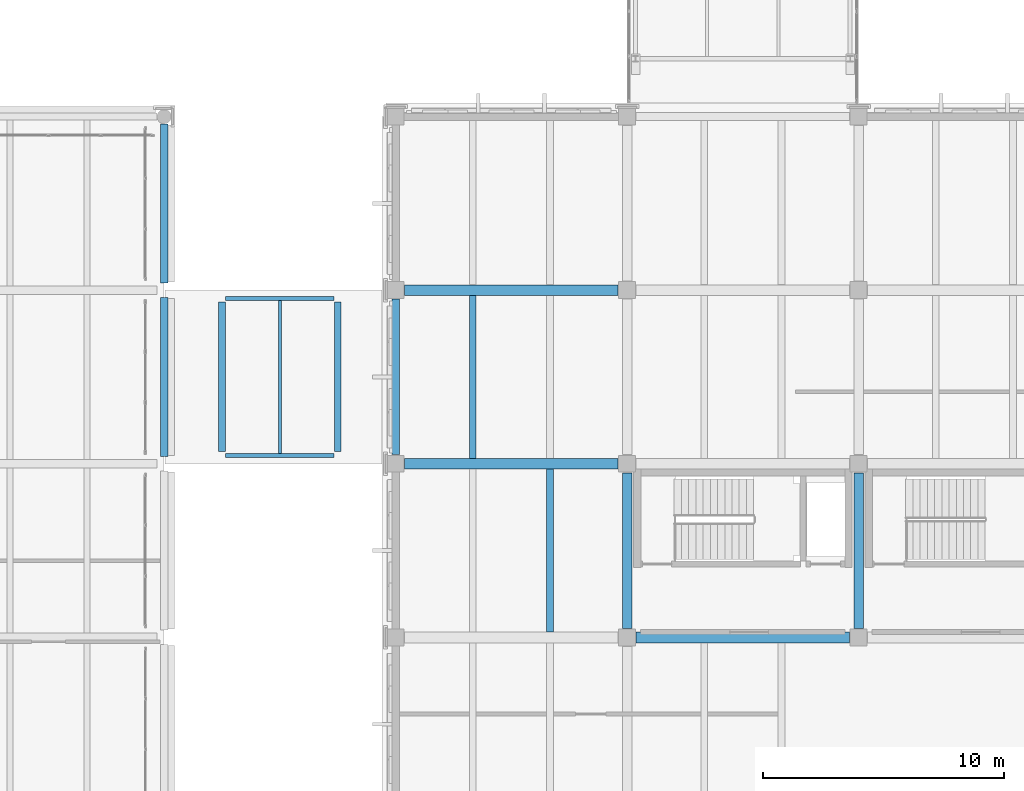
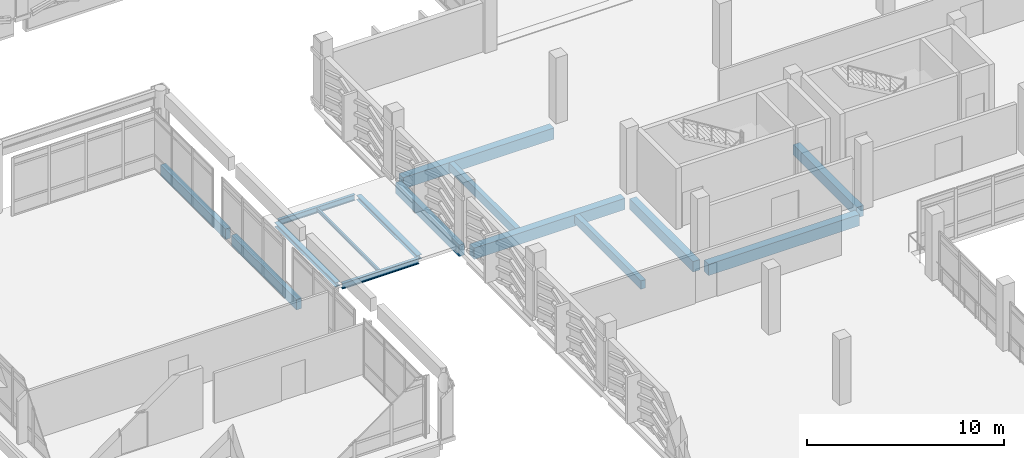
# One storey, part 73 of 180: 15 beams.
"""IFC4 building model written with IfcOpenShell, lengths in metres."""

from ifc_helpers import new_model, si_unit, direction, frame, origin, origin_2d, place, context, subcontext, project, spatial, rectangle, i_section, extrude, material, material_profile, profile_set, type_object, element, save


model = new_model("IFC4")

# Units and contexts
model_context = context("Model", 3, precision=1e-05, world=origin(), true_north=direction((0.0, 1.0)))
body_context = subcontext(model_context, "Body", "Model", "MODEL_VIEW")
ifc_project = project(units=[si_unit("LENGTHUNIT", "METRE"), si_unit("AREAUNIT", "SQUARE_METRE"), si_unit("VOLUMEUNIT", "CUBIC_METRE"), si_unit("PLANEANGLEUNIT", "RADIAN"), si_unit("MASSUNIT", "GRAM", prefix="KILO")], contexts=[model_context])

# Site, building, storey
site_placement = place(None, origin())
site = spatial("IfcSite", under=ifc_project, at=site_placement, CompositionType="ELEMENT")
building_placement = place(site_placement, origin())
building = spatial("IfcBuilding", under=site, at=building_placement, Name="Asteropetra Specialist Clinic", CompositionType="ELEMENT")
storey_placement = place(building_placement, frame((0.0, 0.0, 4.419921875)))
storey = spatial("IfcBuildingStorey", under=building, at=storey_placement, Name="L01", CompositionType="ELEMENT", Elevation=4.419921875)

# Beams
ifc_material_1 = material(Name="Concrete C35/45", Category="concrete")
ifc_material_profile_1 = material_profile(ifc_material_1, rectangle(XDim=0.39990234375, YDim=0.64990234375, at=origin_2d()), Name="RCB 400x650")
ifc_profile_set_1 = profile_set([ifc_material_profile_1], Name="Concrete C35/45")
beam_type_1 = type_object("IfcBeamType", Name="BM-RC400x650", PredefinedType="BEAM", material=ifc_profile_set_1)
for number, where, z_axis, x_axis, name in (
    (1, (115.199951171875, 41.175048828125, -0.625), (0.0, 1.0, 0.0), (-1.0, 0.0, 0.0), "Beam BBM07-0522"),
    (2, (124.800048828125, 41.175048828125, -0.625), (0.0, 1.0, 0.0), (-1.0, 0.0, 0.0), "Beam BBM07-0523"),
):
    element("IfcBeam", number, at=place(storey_placement, frame(where, z_axis=z_axis, x_axis=x_axis)), inside=storey, type_object=beam_type_1, Name=name, PredefinedType="BEAM", context=body_context, shape_type="SweptSolid", body=[
        extrude(rectangle(XDim=0.39990234375, YDim=0.64990234375, at=origin_2d()), origin(), (0.0, 0.0, 1.0), 6.449951171875),
    ])
ifc_material_2 = material(Name="Concrete C35/45", Category="concrete")
ifc_material_profile_2 = material_profile(ifc_material_2, rectangle(XDim=0.449951171875, YDim=0.699951171875, at=origin_2d()), Name="RCB 450x700")
ifc_profile_set_2 = profile_set([ifc_material_profile_2], Name="Concrete C35/45")
beam_type_2 = type_object("IfcBeamType", Name="BM-RC450x700", PredefinedType="BEAM", material=ifc_profile_set_2)
beam_1_placement = place(storey_placement, frame((115.574951171875, 40.800048828125, -0.64990234375), z_axis=(1.0, 0.0, 0.0), x_axis=(0.0, 1.0, 0.0)))
element("IfcBeam", 3, at=beam_1_placement, inside=storey, type_object=beam_type_2, Name="Beam BBM05-0422", PredefinedType="BEAM", context=body_context, shape_type="SweptSolid", body=[
    extrude(rectangle(XDim=0.449951171875, YDim=0.699951171875, at=origin_2d()), origin(), (0.0, 0.0, 1.0), 8.85009765625),
])
for number, where, z_axis, x_axis, name in (
    (4, (105.97509765625, 48.0, -0.64990234375), (1.0, 0.0, 0.0), (0.0, 1.0, 0.0), "Beam BBM05-0426"),
    (5, (105.97509765625, 55.199951171875, -0.64990234375), (1.0, 0.0, 0.0), (0.0, 1.0, 0.0), "Beam BBM05-0431"),
):
    element("IfcBeam", number, at=place(storey_placement, frame(where, z_axis=z_axis, x_axis=x_axis)), inside=storey, type_object=beam_type_2, Name=name, PredefinedType="BEAM", context=body_context, shape_type="SweptSolid", body=[
        extrude(rectangle(XDim=0.449951171875, YDim=0.699951171875, at=origin_2d()), origin(), (0.0, 0.0, 1.0), 8.849853515625),
    ])
ifc_material_3 = material(Name="Steel S355", Category="steel")
ifc_material_profile_3 = material_profile(ifc_material_3, i_section(OverallWidth=0.280029296875, OverallDepth=0.27001953125, WebThickness=0.008056640625, FlangeThickness=0.012939453125, FilletRadius=0.02392578125, at=origin_2d()), Name="HEA 280")
ifc_profile_set_3 = profile_set([ifc_material_profile_3], Name="Steel S355")
beam_type_3 = type_object("IfcBeamType", Name="BM-STL-HEA280", PredefinedType="BEAM", material=ifc_profile_set_3)
for number, where, z_axis, x_axis, name in (
    (6, (98.39990234375, 48.5, -0.324951171875), (0.0, 1.0, 0.0), (-1.0, 0.0, 0.0), "Beam BBMS6-0845"),
    (7, (103.199951171875, 48.5, -0.324951171875), (0.0, 1.0, 0.0), (-1.0, 0.0, 0.0), "Beam BBMS6-0846"),
):
    element("IfcBeam", number, at=place(storey_placement, frame(where, z_axis=z_axis, x_axis=x_axis)), inside=storey, type_object=beam_type_3, Name=name, PredefinedType="BEAM", context=body_context, shape_type="SweptSolid", body=[
        extrude(i_section(OverallWidth=0.280029296875, OverallDepth=0.27001953125, WebThickness=0.008056640625, FlangeThickness=0.012939453125, FilletRadius=0.02392578125, at=origin_2d()), origin(), (0.0, 0.0, 1.0), 6.199951171875),
    ])
ifc_material_4 = material(Name="Steel S355", Category="steel")
ifc_material_profile_4 = material_profile(ifc_material_4, i_section(OverallWidth=0.169921875, OverallDepth=0.360107421875, WebThickness=0.008056640625, FlangeThickness=0.0126953125, FilletRadius=0.01806640625, at=origin_2d()), Name="IPE 360")
ifc_profile_set_4 = profile_set([ifc_material_profile_4], Name="Steel S355")
beam_type_4 = type_object("IfcBeamType", Name="BM-STL-IPE360", PredefinedType="BEAM", material=ifc_profile_set_4)
for number, where, z_axis, x_axis, name in (
    (8, (98.550048828125, 48.35009765625, -0.369873046875), (1.0, 0.0, 0.0), (0.0, 1.0, 0.0), "Beam BBMS4-0843"),
    (9, (98.550048828125, 54.85009765625, -0.369873046875), (1.0, 0.0, 0.0), (0.0, 1.0, 0.0), "Beam BBMS4-0844"),
):
    element("IfcBeam", number, at=place(storey_placement, frame(where, z_axis=z_axis, x_axis=x_axis)), inside=storey, type_object=beam_type_4, Name=name, PredefinedType="BEAM", context=body_context, shape_type="SweptSolid", body=[
        extrude(i_section(OverallWidth=0.169921875, OverallDepth=0.360107421875, WebThickness=0.008056640625, FlangeThickness=0.0126953125, FilletRadius=0.01806640625, at=origin_2d()), origin(), (0.0, 0.0, 1.0), 4.5),
    ])
ifc_material_5 = material(Name="Concrete C35/45", Category="concrete")
ifc_material_profile_5 = material_profile(ifc_material_5, rectangle(XDim=0.280029296875, YDim=0.52001953125, at=origin_2d()), Name="RCJ 280x520")
ifc_profile_set_5 = profile_set([ifc_material_profile_5], Name="Concrete C35/45")
beam_type_5 = type_object("IfcBeamType", Name="JST-RC280x520", PredefinedType="JOIST", material=ifc_profile_set_5)
for number, where, z_axis, x_axis, name in (
    (10, (112.0, 41.02490234375, -0.559814453125), (0.0, 1.0, 0.0), (-1.0, 0.0, 0.0), "Joist JJST01-0528"),
    (11, (108.800048828125, 48.22509765625, -0.559814453125), (0.0, 1.0, 0.0), (-1.0, 0.0, 0.0), "Joist JJST01-0539"),
):
    element("IfcBeam", number, at=place(storey_placement, frame(where, z_axis=z_axis, x_axis=x_axis)), inside=storey, type_object=beam_type_5, Name=name, PredefinedType="JOIST", context=body_context, shape_type="SweptSolid", body=[
        extrude(rectangle(XDim=0.280029296875, YDim=0.52001953125, at=origin_2d()), origin(), (0.0, 0.0, 1.0), 6.75),
    ])
ifc_material_6 = material(Name="Steel S355", Category="steel")
ifc_material_profile_6 = material_profile(ifc_material_6, i_section(OverallWidth=0.110107421875, OverallDepth=0.219970703125, WebThickness=0.005859375, FlangeThickness=0.00927734375, FilletRadius=0.011962890625, at=origin_2d()), Name="IPE 220")
ifc_profile_set_6 = profile_set([ifc_material_profile_6], Name="Steel S355")
beam_type_6 = type_object("IfcBeamType", Name="JST-STL-IPE220", PredefinedType="JOIST", material=ifc_profile_set_6)
beam_2_placement = place(storey_placement, frame((100.800048828125, 48.43505859375, -0.2998046875), z_axis=(0.0, 1.0, 0.0), x_axis=(-1.0, 0.0, 0.0)))
element("IfcBeam", 12, at=beam_2_placement, inside=storey, type_object=beam_type_6, Name="Joist JJSTS2-0847", PredefinedType="JOIST", context=body_context, shape_type="SweptSolid", body=[
    extrude(i_section(OverallWidth=0.110107421875, OverallDepth=0.219970703125, WebThickness=0.005859375, FlangeThickness=0.00927734375, FilletRadius=0.011962890625, at=origin_2d()), origin(), (0.0, 0.0, 1.0), 6.329833984375),
])
ifc_material_7 = material(Name="Concrete C35/45", Category="concrete")
ifc_material_profile_7 = material_profile(ifc_material_7, rectangle(XDim=0.300048828125, YDim=0.64990234375, at=origin_2d()), Name="RCS 300x650")
ifc_profile_set_7 = profile_set([ifc_material_profile_7], Name="Concrete C35/45")
beam_type_7 = type_object("IfcBeamType", Name="SPN-RC300x650", PredefinedType="SPANDREL", material=ifc_profile_set_7)
beam_3_placement = place(storey_placement, frame((96.0, 48.300048828125, -0.5849609375), z_axis=(0.0, 1.0, 0.0), x_axis=(-1.0, 0.0, 0.0)))
element("IfcBeam", 13, at=beam_3_placement, inside=storey, type_object=beam_type_7, Name="Beam BSPN03-0788", PredefinedType="SPANDREL", context=body_context, shape_type="SweptSolid", body=[
    extrude(rectangle(XDim=0.300048828125, YDim=0.64990234375, at=origin_2d()), origin(), (0.0, 0.0, 1.0), 6.599853515625),
])
beam_4_placement = place(storey_placement, frame((96.0, 55.5, -0.5849609375), z_axis=(0.0, 1.0, 0.0), x_axis=(-1.0, 0.0, 0.0)))
element("IfcBeam", 14, at=beam_4_placement, inside=storey, type_object=beam_type_7, Name="Beam BSPN03-0795", PredefinedType="SPANDREL", context=body_context, shape_type="SweptSolid", body=[
    extrude(rectangle(XDim=0.300048828125, YDim=0.64990234375, at=origin_2d()), origin(), (0.0, 0.0, 1.0), 6.60009765625),
])
ifc_material_8 = material(Name="Concrete C35/45", Category="concrete")
ifc_material_profile_8 = material_profile(ifc_material_8, rectangle(XDim=0.320068359375, YDim=0.699951171875, at=origin_2d()), Name="RCS 320x700")
ifc_profile_set_8 = profile_set([ifc_material_profile_8], Name="Concrete C35/45")
beam_type_8 = type_object("IfcBeamType", Name="SPN-RC320x700", PredefinedType="SPANDREL", material=ifc_profile_set_8)
beam_5_placement = place(storey_placement, frame((105.60009765625, 48.375, -0.64990234375), z_axis=(0.0, 1.0, 0.0), x_axis=(-1.0, 0.0, 0.0)))
element("IfcBeam", 15, at=beam_5_placement, inside=storey, type_object=beam_type_8, Name="Beam BSPN02-0533", PredefinedType="SPANDREL", context=body_context, shape_type="SweptSolid", body=[
    extrude(rectangle(XDim=0.320068359375, YDim=0.699951171875, at=origin_2d()), origin(), (0.0, 0.0, 1.0), 6.449951171875),
])

save(model, "model.ifc")
